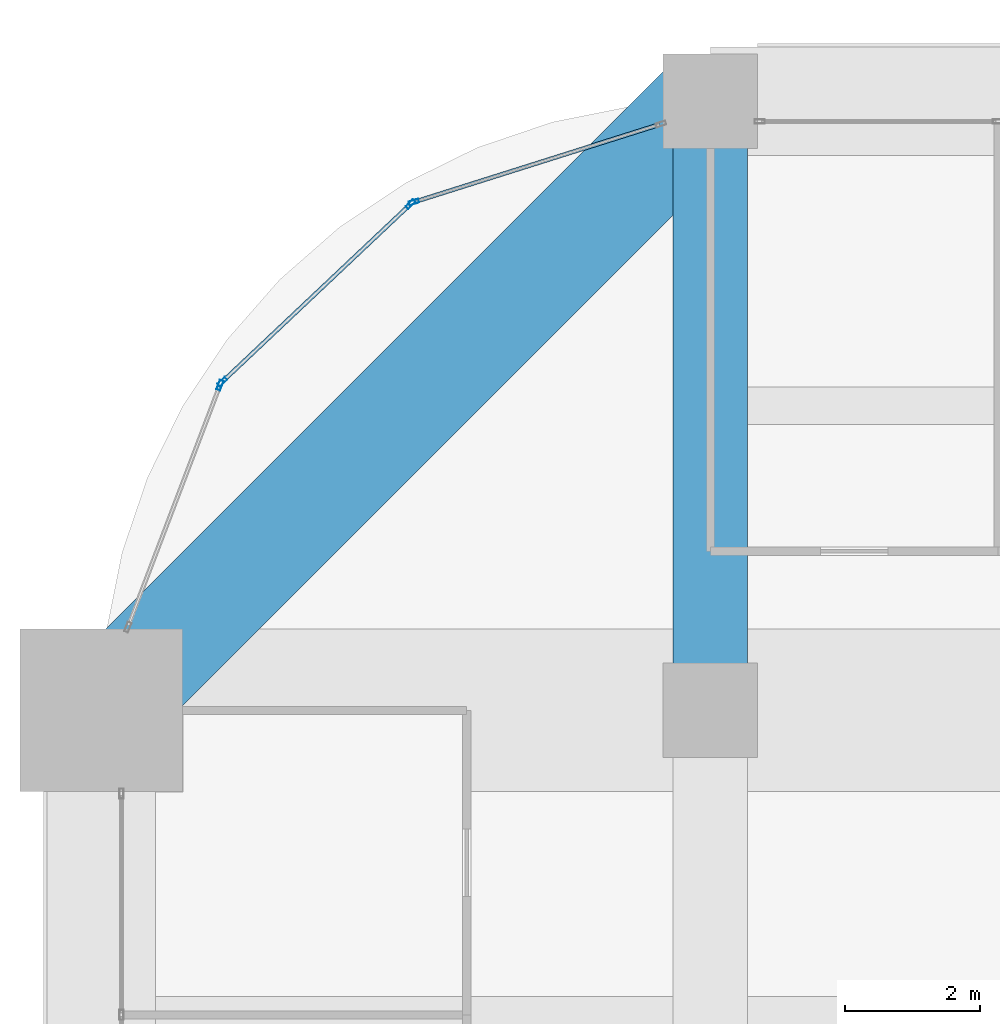
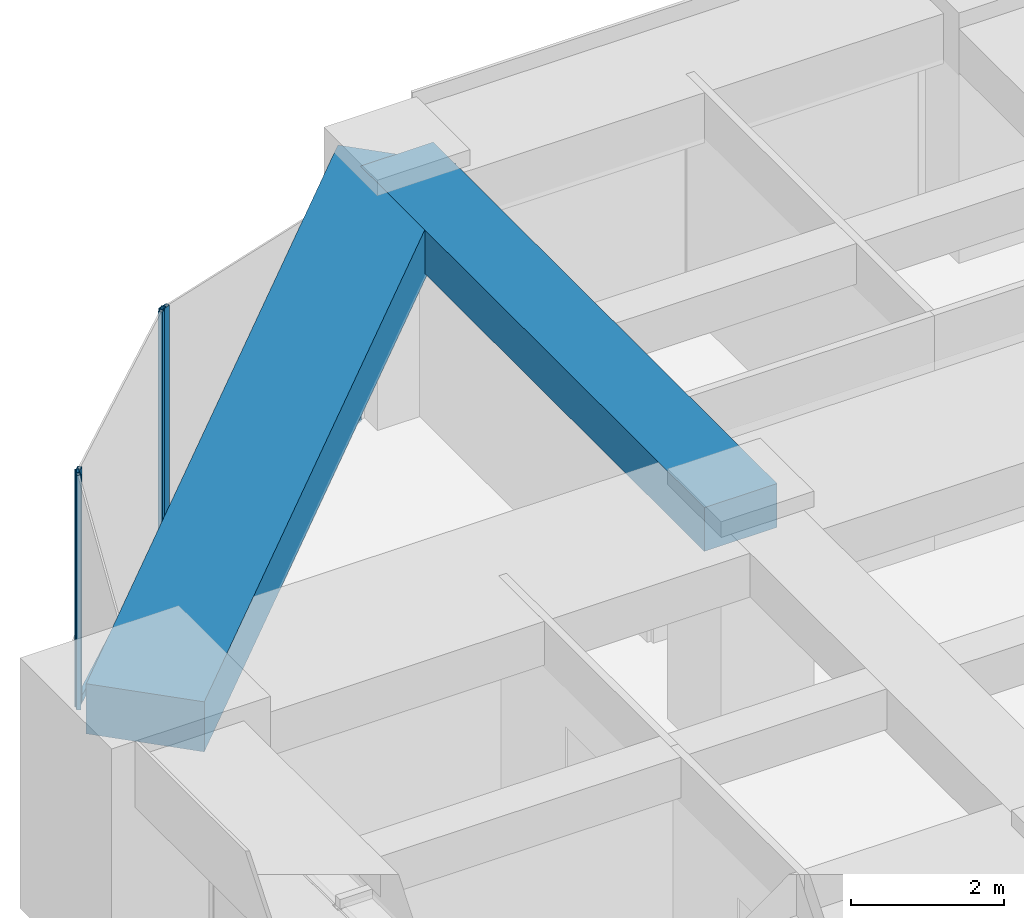
# One storey, part 21 of 35: 6 members, 2 beams, 3 elements without a shape of their own.
"""IFC4 building model written with IfcOpenShell, lengths in metres."""

from ifc_helpers import new_model, si_unit, direction, frame, origin, origin_2d, place, context, subcontext, project, spatial, rectangle, hollow_rectangle, extrude, material, material_profile, profile_set, type_object, element, aggregate, save


model = new_model("IFC4")

# Units and contexts
model_context = context("Model", 3, precision=1e-05, world=origin(), true_north=direction((0.0, 1.0)))
body_context = subcontext(model_context, "Body", "Model", "MODEL_VIEW")
ifc_project = project(units=[si_unit("LENGTHUNIT", "METRE"), si_unit("AREAUNIT", "SQUARE_METRE"), si_unit("VOLUMEUNIT", "CUBIC_METRE"), si_unit("PLANEANGLEUNIT", "RADIAN"), si_unit("MASSUNIT", "GRAM", prefix="KILO")], contexts=[model_context])

# Site, building, storey
site_placement = place(None, origin())
site = spatial("IfcSite", under=ifc_project, at=site_placement, CompositionType="ELEMENT")
building_placement = place(site_placement, origin())
building = spatial("IfcBuilding", under=site, at=building_placement, Name="Zorevar Civic Tower", CompositionType="ELEMENT")
storey_placement = place(building_placement, frame((0.0, 0.0, 222.199951171875)))
storey = spatial("IfcBuildingStorey", under=building, at=storey_placement, Name="L54", CompositionType="ELEMENT", Elevation=222.199951171875)

# Beam
ifc_material_1 = material(Name="Concrete C50/60", Category="concrete")
ifc_material_profile_1 = material_profile(ifc_material_1, rectangle(XDim=1.10009765625, YDim=0.699951171875, at=origin_2d()), Name="RC 1100x700")
ifc_profile_set_1 = profile_set([ifc_material_profile_1], Name="Concrete C50/60")
beam_type_1 = type_object("IfcBeamType", Name="Beam RC 1100x700", PredefinedType="BEAM", material=ifc_profile_set_1)
beam_1_placement = place(storey_placement, frame((9.0, 36.0, 3.400146484375), z_axis=(0.0, 1.0, 0.0), x_axis=(-1.0, 0.0, 0.0)))
element("IfcBeam", 1, at=beam_1_placement, inside=storey, type_object=beam_type_1, Name="Girder L55", PredefinedType="BEAM", context=body_context, shape_type="SweptSolid", body=[
    extrude(rectangle(XDim=1.10009765625, YDim=0.699951171875, at=origin_2d()), origin(), (0.0, 0.0, 1.0), 9.0),
])

# Curtain wall, member
ifc_material_2 = material(Name="Dark grey solar-control glass in black aluminium frame", Category="aluminium")
curtain_wall_type = type_object("IfcCurtainWallType", Name="Curtain wall CW4 high zone", PredefinedType="NOTDEFINED", material=ifc_material_2)
curtain_wall_1_placement = place(storey_placement, origin())
curtain_wall_1 = element("IfcCurtainWall", 2, at=curtain_wall_1_placement, inside=storey, type_object=curtain_wall_type, Name="CW4 L54", PredefinedType="NOTDEFINED")
ifc_material_3 = material(Name="Aluminium, black anodised", Category="aluminium")
ifc_material_profile_2 = material_profile(ifc_material_3, hollow_rectangle(XDim=0.06005859375, YDim=0.14990234375, WallThickness=0.00390625, at=origin_2d()), Name="AL 150x60x4")
ifc_profile_set_2 = profile_set([ifc_material_profile_2], Name="Aluminium, black anodised")
member_type_1 = type_object("IfcMemberType", Name="CW4 mullion AL 150x60x4", PredefinedType="MULLION", material=ifc_profile_set_2)
member_1_placement = place(storey_placement, frame((4.62158203125, 43.51025390625, 0.0), z_axis=(0.0, 0.0, 1.0), x_axis=(0.301108296077, -0.953589950678, 0.0)))
member_1 = element("IfcMember", 3, at=member_1_placement, type_object=member_type_1, Name="CW4 mullion 2", PredefinedType="MULLION", context=body_context, shape_type="SweptSolid", body=[
    extrude(hollow_rectangle(XDim=0.06005859375, YDim=0.14990234375, WallThickness=0.00390625, at=origin_2d()), origin(), (0.0, 0.0, 1.0), 3.75),
])

# Curtain wall, members
curtain_wall_2_placement = place(storey_placement, origin())
curtain_wall_2 = element("IfcCurtainWall", 4, at=curtain_wall_2_placement, inside=storey, type_object=curtain_wall_type, Name="CW4 L54", PredefinedType="NOTDEFINED")
member_2_placement = place(storey_placement, frame((4.5712890625, 43.480712890625, 0.0), z_axis=(0.0, 0.0, 1.0), x_axis=(0.686377907265, -0.727245053898, 0.0)))
member_2 = element("IfcMember", 5, at=member_2_placement, type_object=member_type_1, Name="CW4 mullion 1", PredefinedType="MULLION", context=body_context, shape_type="SweptSolid", body=[
    extrude(hollow_rectangle(XDim=0.06005859375, YDim=0.14990234375, WallThickness=0.00390625, at=origin_2d()), origin(), (0.0, 0.0, 1.0), 3.75),
])
member_3_placement = place(storey_placement, frame((1.787841796875, 40.853759765625, 0.0), z_axis=(0.0, 0.0, 1.0), x_axis=(0.686377907265, -0.727245053898, 0.0)))
member_3 = element("IfcMember", 6, at=member_3_placement, type_object=member_type_1, Name="CW4 mullion 2", PredefinedType="MULLION", context=body_context, shape_type="SweptSolid", body=[
    extrude(hollow_rectangle(XDim=0.06005859375, YDim=0.14990234375, WallThickness=0.00390625, at=origin_2d()), origin(), (0.0, 0.0, 1.0), 3.75),
])

# Curtain wall, member
curtain_wall_3_placement = place(storey_placement, origin())
curtain_wall_3 = element("IfcCurtainWall", 7, at=curtain_wall_3_placement, inside=storey, type_object=curtain_wall_type, Name="CW4 L54", PredefinedType="NOTDEFINED")
member_4_placement = place(storey_placement, frame((1.75537109375, 40.804931640625, 0.0), z_axis=(0.0, 0.0, 1.0), x_axis=(0.93458842801, -0.355730895803, 0.0)))
member_4 = element("IfcMember", 8, at=member_4_placement, type_object=member_type_1, Name="CW4 mullion 1", PredefinedType="MULLION", context=body_context, shape_type="SweptSolid", body=[
    extrude(hollow_rectangle(XDim=0.06005859375, YDim=0.14990234375, WallThickness=0.00390625, at=origin_2d()), origin(), (0.0, 0.0, 1.0), 3.75),
])
aggregate(curtain_wall_3, [member_4])

# Member
ifc_material_4 = material(Name="Aluminium, black anodised", Category="aluminium")
ifc_material_profile_3 = material_profile(ifc_material_4, hollow_rectangle(XDim=0.06005859375, YDim=0.1201171875, WallThickness=0.0029296875, at=origin_2d()), Name="AL 120x60x3")
ifc_profile_set_3 = profile_set([ifc_material_profile_3], Name="Aluminium, black anodised")
member_type_2 = type_object("IfcMemberType", Name="CW4 transom AL 120x60x3", PredefinedType="USERDEFINED", material=ifc_profile_set_3)
member_5_placement = place(storey_placement, frame((8.24267578125, 44.653564453125, 0.030029296875), z_axis=(-0.953592459367, -0.301100351109, 0.0), x_axis=(0.301100351109, -0.953592459367, 0.0)))
member_5 = element("IfcMember", 9, at=member_5_placement, type_object=member_type_2, Name="CW4 sill transom", ObjectType="TRANSOM", PredefinedType="USERDEFINED", context=body_context, shape_type="SweptSolid", body=[
    extrude(hollow_rectangle(XDim=0.06005859375, YDim=0.1201171875, WallThickness=0.0029296875, at=origin_2d()), origin(), (0.0, 0.0, 1.0), 3.76708984375),
])

aggregate(curtain_wall_1, [member_1, member_5])

member_6_placement = place(storey_placement, frame((4.549560546875, 43.4599609375, 0.030029296875), z_axis=(-0.727288059227, -0.686332338526, 0.0), x_axis=(0.686332338526, -0.727288059227, 0.0)))
member_6 = element("IfcMember", 10, at=member_6_placement, type_object=member_type_2, Name="CW4 sill transom", ObjectType="TRANSOM", PredefinedType="USERDEFINED", context=body_context, shape_type="SweptSolid", body=[
    extrude(hollow_rectangle(XDim=0.06005859375, YDim=0.1201171875, WallThickness=0.0029296875, at=origin_2d()), origin(), (0.0, 0.0, 1.0), 3.767333984375),
])

aggregate(curtain_wall_2, [member_2, member_3, member_6])

# Beam
ifc_material_5 = material(Name="Concrete C50/60", Category="concrete")
ifc_material_profile_4 = material_profile(ifc_material_5, rectangle(XDim=1.60009765625, YDim=0.800048828125, at=origin_2d()), Name="RC 1600x800")
ifc_profile_set_4 = profile_set([ifc_material_profile_4], Name="Concrete C50/60")
beam_type_2 = type_object("IfcBeamType", Name="Edge beam RC 1600x800", PredefinedType="SPANDREL", material=ifc_profile_set_4)
beam_2_placement = place(storey_placement, frame((9.0, 45.0, 3.35009765625), z_axis=(-0.707106781187, -0.707106781187, 0.0), x_axis=(0.707106781187, -0.707106781187, 0.0)))
element("IfcBeam", 11, at=beam_2_placement, inside=storey, type_object=beam_type_2, Name="Corner edge beam L55", PredefinedType="SPANDREL", context=body_context, shape_type="SweptSolid", body=[
    extrude(rectangle(XDim=1.60009765625, YDim=0.800048828125, at=origin_2d()), origin(), (0.0, 0.0, 1.0), 12.72802734375),
])

save(model, "model.ifc")
